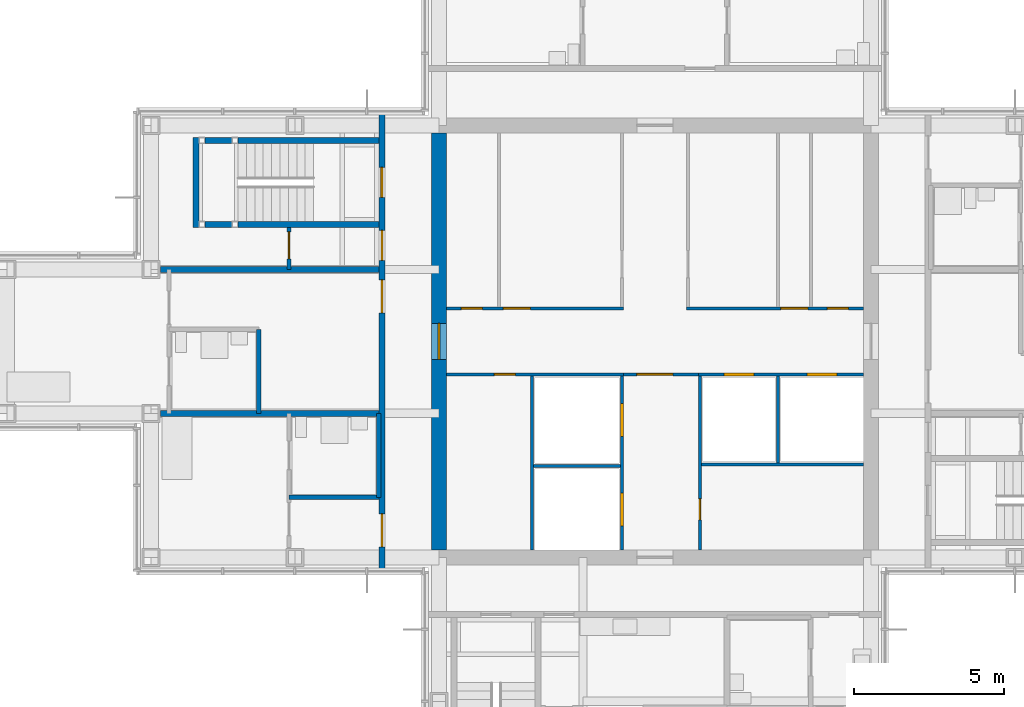
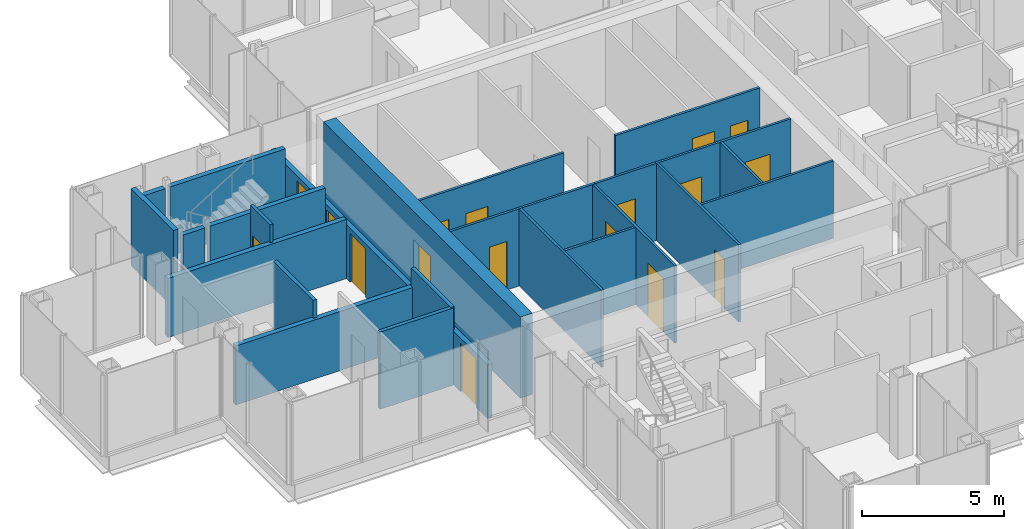
# One storey, part 12 of 17: 24 walls, 17 doors, 17 openings.
"""IFC4 building model written with IfcOpenShell, lengths in metres."""

from ifc_helpers import new_model, si_unit, direction, frame, frame_2d, origin, place, context, subcontext, project, spatial, rectangle, extrude, material, layer, layer_set, type_object, element, fill, save


model = new_model("IFC4")

# Units and contexts
model_context = context("Model", 3, precision=1e-05, world=origin(), true_north=direction((0.0, 1.0)))
body_context = subcontext(model_context, "Body", "Model", "MODEL_VIEW")
ifc_project = project(units=[si_unit("LENGTHUNIT", "METRE"), si_unit("AREAUNIT", "SQUARE_METRE"), si_unit("VOLUMEUNIT", "CUBIC_METRE"), si_unit("PLANEANGLEUNIT", "RADIAN"), si_unit("MASSUNIT", "GRAM", prefix="KILO")], contexts=[model_context])

# Site, building, storey
site_placement = place(None, origin())
site = spatial("IfcSite", under=ifc_project, at=site_placement, CompositionType="ELEMENT")
building_placement = place(site_placement, origin())
building = spatial("IfcBuilding", under=site, at=building_placement, Name="Kvirike Care Tower", CompositionType="ELEMENT")
storey_placement = place(building_placement, frame((0.0, 0.0, 158.5)))
storey = spatial("IfcBuildingStorey", under=building, at=storey_placement, Name="L43", CompositionType="ELEMENT", Elevation=158.5)

# Walls
ifc_material_1 = material(Name="Moisture-resistant board partition", Category="gypsum")
ifc_layer_1 = layer(ifc_material_1, 0.14990234375)
ifc_layer_set_1 = layer_set([ifc_layer_1], Name="BATHROOM WALL 150")
wall_type_1 = type_object("IfcWallType", Name="BATHROOM WALL 150", PredefinedType="PARTITIONING", material=ifc_layer_set_1)
wall_1_placement = place(storey_placement, frame((8.39990234375, 36.39990234375, 0.0), z_axis=(0.0, 0.0, 1.0), x_axis=(0.0, -1.0, 0.0)))
element("IfcWall", 1, at=wall_1_placement, inside=storey, type_object=wall_type_1, Name="Bathroom Wall 150 L43", PredefinedType="PARTITIONING", context=body_context, shape_type="SweptSolid", body=[
    extrude(rectangle(XDim=2.7998046875, YDim=0.14990234375, at=frame_2d((1.39990234375, 0.0))), origin(), (0.0, 0.0, 1.0), 3.330078125),
])
wall_2_placement = place(storey_placement, frame((9.39990234375, 30.800048828125, 0.0), z_axis=(0.0, 0.0, 1.0), x_axis=(1.0, 0.0, 0.0)))
element("IfcWall", 2, at=wall_2_placement, inside=storey, type_object=wall_type_1, Name="Bathroom Wall 150 L43", PredefinedType="PARTITIONING", context=body_context, shape_type="SweptSolid", body=[
    extrude(rectangle(XDim=3.0, YDim=0.14990234375, at=frame_2d((1.5, 0.0))), origin(), (0.0, 0.0, 1.0), 3.330078125),
])
wall_3_placement = place(storey_placement, frame((12.39990234375, 33.60009765625, 0.0), z_axis=(0.0, 0.0, 1.0), x_axis=(0.0, -1.0, 0.0)))
element("IfcWall", 3, at=wall_3_placement, inside=storey, type_object=wall_type_1, Name="Bathroom Wall 150 L43", PredefinedType="PARTITIONING", context=body_context, shape_type="SweptSolid", body=[
    extrude(rectangle(XDim=2.800048828125, YDim=0.14990234375, at=frame_2d((1.39990234375, 0.0))), origin(), (0.0, 0.0, 1.0), 3.330078125),
])

# Wall, opening, door
ifc_material_2 = material(Name="Concrete C45/55", Category="concrete")
ifc_layer_2 = layer(ifc_material_2, 0.5)
ifc_layer_set_2 = layer_set([ifc_layer_2], Name="CORE WALL 500 C45-55")
wall_type_2 = type_object("IfcWallType", Name="CORE WALL 500 C45-55", PredefinedType="SHEAR", material=ifc_layer_set_2)
wall_4_placement = place(storey_placement, frame((14.39990234375, 42.949951171875, -0.169921875), z_axis=(0.0, 0.0, 1.0), x_axis=(0.0, -1.0, 0.0)))
wall_4 = element("IfcWall", 4, at=wall_4_placement, inside=storey, type_object=wall_type_2, Name="Core wall W L43", PredefinedType="SHEAR", context=body_context, shape_type="SweptSolid", body=[
    extrude(rectangle(XDim=13.89990234375, YDim=0.5, at=frame_2d((6.949951171875, 0.0))), origin(), (0.0, 0.0, 1.0), 3.5),
])
opening_1_placement = place(wall_4_placement, frame((6.35009765625, 0.0, 0.169921875)))
opening_1 = element("IfcOpeningElement", 5, at=opening_1_placement, cuts=wall_4, Name="Opening 43-044", PredefinedType="OPENING", context=body_context, shape_type="SweptSolid", body=[
    extrude(rectangle(XDim=1.199951171875, YDim=2.10009765625, at=frame_2d((0.60009765625, 1.050048828125))), frame((0.0, 0.260498046875, 0.0), z_axis=(0.0, -1.0, 0.0), x_axis=(1.0, 0.0, 0.0)), (0.0, 0.0, 1.0), 0.52099609375),
])
ifc_material_3 = material(Name="Timber door set", Category="wood")
door_type_1 = type_object("IfcDoorType", Name="CORE DOOR 1200", OperationType="SINGLE_SWING_LEFT", PredefinedType="DOOR", material=ifc_material_3)
door_1_placement = place(opening_1_placement, origin())
door_1 = element("IfcDoor", 6, at=door_1_placement, inside=storey, type_object=door_type_1, Name="Core door W L43", OperationType="SINGLE_SWING_LEFT", OverallHeight=2.10009765625, OverallWidth=1.199951171875, PredefinedType="DOOR", context=body_context, shape_type="SweptSolid", body=[
    extrude(rectangle(XDim=1.199951171875, YDim=2.10009765625, at=frame_2d((0.60009765625, 1.050048828125))), frame((0.0, 0.02685546875, 0.0), z_axis=(0.0, -1.0, 0.0), x_axis=(1.0, 0.0, 0.0)), (0.0, 0.0, 1.0), 0.053955078125),
])
fill(opening_1, door_1)

# Wall, openings, doors
ifc_material_4 = material(Name="Plasterboard corridor wall", Category="gypsum")
ifc_layer_3 = layer(ifc_material_4, 0.199951171875)
ifc_layer_set_3 = layer_set([ifc_layer_3], Name="CORRIDOR WALL 200")
wall_type_3 = type_object("IfcWallType", Name="CORRIDOR WALL 200", PredefinedType="PARTITIONING", material=ifc_layer_set_3)
wall_5_placement = place(storey_placement, frame((12.5, 43.64990234375, 0.0), z_axis=(0.0, 0.0, 1.0), x_axis=(0.0, -1.0, 0.0)))
wall_5 = element("IfcWall", 7, at=wall_5_placement, inside=storey, type_object=wall_type_3, Name="Corridor Wall 200 L43", PredefinedType="PARTITIONING", context=body_context, shape_type="SweptSolid", body=[
    extrude(rectangle(XDim=15.2998046875, YDim=0.199951171875, at=frame_2d((7.64990234375, 0.0))), origin(), (0.0, 0.0, 1.0), 2.320068359375),
])
opening_2_placement = place(wall_5_placement, frame((1.85009765625, 0.0, 0.0)))
opening_2 = element("IfcOpeningElement", 8, at=opening_2_placement, cuts=wall_5, Name="Opening 43-006", PredefinedType="OPENING", context=body_context, shape_type="SweptSolid", body=[
    extrude(rectangle(XDim=1.0, YDim=2.10009765625, at=frame_2d((0.5, 1.050048828125))), frame((0.0, 0.110595703125, 0.0), z_axis=(0.0, -1.0, 0.0), x_axis=(1.0, 0.0, 0.0)), (0.0, 0.0, 1.0), 0.220947265625),
])
opening_3_placement = place(wall_5_placement, frame((3.949951171875, 0.0, 0.0)))
opening_3 = element("IfcOpeningElement", 9, at=opening_3_placement, cuts=wall_5, Name="Opening 43-007", PredefinedType="OPENING", context=body_context, shape_type="SweptSolid", body=[
    extrude(rectangle(XDim=1.0, YDim=2.10009765625, at=frame_2d((0.5, 1.050048828125))), frame((0.0, 0.110595703125, 0.0), z_axis=(0.0, -1.0, 0.0), x_axis=(1.0, 0.0, 0.0)), (0.0, 0.0, 1.0), 0.220947265625),
])
opening_4_placement = place(wall_5_placement, frame((5.60009765625, 0.0, 0.0)))
opening_4 = element("IfcOpeningElement", 10, at=opening_4_placement, cuts=wall_5, Name="Opening 43-008", PredefinedType="OPENING", context=body_context, shape_type="SweptSolid", body=[
    extrude(rectangle(XDim=1.10009765625, YDim=2.10009765625, at=frame_2d((0.550048828125, 1.050048828125))), frame((0.0, 0.110595703125, 0.0), z_axis=(0.0, -1.0, 0.0), x_axis=(1.0, 0.0, 0.0)), (0.0, 0.0, 1.0), 0.220947265625),
])
opening_5_placement = place(wall_5_placement, frame((13.39990234375, 0.0, 0.0)))
opening_5 = element("IfcOpeningElement", 11, at=opening_5_placement, cuts=wall_5, Name="Opening 43-009", PredefinedType="OPENING", context=body_context, shape_type="SweptSolid", body=[
    extrude(rectangle(XDim=1.10009765625, YDim=2.10009765625, at=frame_2d((0.550048828125, 1.050048828125))), frame((0.0, 0.110595703125, 0.0), z_axis=(0.0, -1.0, 0.0), x_axis=(1.0, 0.0, 0.0)), (0.0, 0.0, 1.0), 0.220947265625),
])
ifc_material_5 = material(Name="Timber door set", Category="wood")
door_type_2 = type_object("IfcDoorType", Name="BEDROOM ENTRANCE DOOR 1100", OperationType="SINGLE_SWING_LEFT", PredefinedType="DOOR", material=ifc_material_5)
door_2_placement = place(opening_4_placement, frame((1.10009765625, 0.0, 0.0), z_axis=(0.0, 0.0, 1.0), x_axis=(-1.0, 0.0, 0.0)))
door_2 = element("IfcDoor", 12, at=door_2_placement, inside=storey, type_object=door_type_2, Name="Memory care bedroom entrance", OperationType="SINGLE_SWING_LEFT", OverallHeight=2.10009765625, OverallWidth=1.10009765625, PredefinedType="DOOR", context=body_context, shape_type="SweptSolid", body=[
    extrude(rectangle(XDim=1.10009765625, YDim=2.10009765625, at=frame_2d((0.550048828125, 1.050048828125))), frame((0.0, 0.02685546875, 0.0), z_axis=(0.0, -1.0, 0.0), x_axis=(1.0, 0.0, 0.0)), (0.0, 0.0, 1.0), 0.053955078125),
])
fill(opening_4, door_2)
door_3_placement = place(opening_5_placement, frame((1.10009765625, 0.0, 0.0), z_axis=(0.0, 0.0, 1.0), x_axis=(-1.0, 0.0, 0.0)))
door_3 = element("IfcDoor", 13, at=door_3_placement, inside=storey, type_object=door_type_2, Name="Memory care bedroom entrance", OperationType="SINGLE_SWING_RIGHT", OverallHeight=2.10009765625, OverallWidth=1.10009765625, PredefinedType="DOOR", context=body_context, shape_type="SweptSolid", body=[
    extrude(rectangle(XDim=1.10009765625, YDim=2.10009765625, at=frame_2d((0.550048828125, 1.050048828125))), frame((0.0, 0.02685546875, 0.0), z_axis=(0.0, -1.0, 0.0), x_axis=(1.0, 0.0, 0.0)), (0.0, 0.0, 1.0), 0.053955078125),
])
fill(opening_5, door_3)
ifc_material_6 = material(Name="Timber door set", Category="wood")
door_type_3 = type_object("IfcDoorType", Name="FLAT ENTRANCE DOOR 1000", OperationType="SINGLE_SWING_LEFT", PredefinedType="DOOR", material=ifc_material_6)
door_4_placement = place(opening_3_placement, frame((1.0, 0.0, 0.0), z_axis=(0.0, 0.0, 1.0), x_axis=(-1.0, 0.0, 0.0)))
door_4 = element("IfcDoor", 14, at=door_4_placement, inside=storey, type_object=door_type_3, Name="Activity room entrance", OperationType="SINGLE_SWING_LEFT", OverallHeight=2.10009765625, OverallWidth=1.0, PredefinedType="DOOR", context=body_context, shape_type="SweptSolid", body=[
    extrude(rectangle(XDim=1.0, YDim=2.10009765625, at=frame_2d((0.5, 1.050048828125))), frame((0.0, 0.02685546875, 0.0), z_axis=(0.0, -1.0, 0.0), x_axis=(1.0, 0.0, 0.0)), (0.0, 0.0, 1.0), 0.053955078125),
])
fill(opening_3, door_4)
ifc_material_7 = material(Name="Timber door set", Category="wood")
door_type_4 = type_object("IfcDoorType", Name="STAIR DOOR 1000", OperationType="SINGLE_SWING_LEFT", PredefinedType="DOOR", material=ifc_material_7)
door_5_placement = place(opening_2_placement, frame((1.0, 0.0, 0.0), z_axis=(0.0, 0.0, 1.0), x_axis=(-1.0, 0.0, 0.0)))
door_5 = element("IfcDoor", 15, at=door_5_placement, inside=storey, type_object=door_type_4, Name="Stair 1 door", OperationType="SINGLE_SWING_LEFT", OverallHeight=2.10009765625, OverallWidth=1.0, PredefinedType="DOOR", context=body_context, shape_type="SweptSolid", body=[
    extrude(rectangle(XDim=1.0, YDim=2.10009765625, at=frame_2d((0.5, 1.050048828125))), frame((0.0, 0.031982421875, 0.0), z_axis=(0.0, -1.0, 0.0), x_axis=(1.0, 0.0, 0.0)), (0.0, 0.0, 1.0), 0.06396484375),
])
fill(opening_2, door_5)

# Wall, opening, door
ifc_material_8 = material(Name="Plasterboard partition", Category="gypsum")
ifc_layer_4 = layer(ifc_material_8, 0.1201171875)
ifc_layer_set_4 = layer_set([ifc_layer_4], Name="PARTITION 120")
wall_type_4 = type_object("IfcWallType", Name="PARTITION 120", PredefinedType="PARTITIONING", material=ifc_layer_set_4)
wall_6_placement = place(storey_placement, frame((9.39990234375, 39.800048828125, 0.0), z_axis=(0.0, 0.0, 1.0), x_axis=(0.0, -1.0, 0.0)))
wall_6 = element("IfcWall", 16, at=wall_6_placement, inside=storey, type_object=wall_type_4, Name="Partition 120 L43", PredefinedType="PARTITIONING", context=body_context, shape_type="SweptSolid", body=[
    extrude(rectangle(XDim=1.400146484375, YDim=0.1201171875, at=frame_2d((0.7001953125, 0.0))), origin(), (0.0, 0.0, 1.0), 3.330078125),
])
opening_6_placement = place(wall_6_placement, frame((0.14990234375, 0.0, 0.0)))
opening_6 = element("IfcOpeningElement", 17, at=opening_6_placement, cuts=wall_6, Name="Opening 43-001", PredefinedType="OPENING", context=body_context, shape_type="SweptSolid", body=[
    extrude(rectangle(XDim=0.89990234375, YDim=2.10009765625, at=frame_2d((0.449951171875, 1.050048828125))), frame((0.0, 0.070556640625, 0.0), z_axis=(0.0, -1.0, 0.0), x_axis=(1.0, 0.0, 0.0)), (0.0, 0.0, 1.0), 0.14111328125),
])
ifc_material_9 = material(Name="Timber door set", Category="wood")
door_type_5 = type_object("IfcDoorType", Name="INTERNAL DOOR 900", OperationType="SINGLE_SWING_LEFT", PredefinedType="DOOR", material=ifc_material_9)
door_6_placement = place(opening_6_placement, origin())
door_6 = element("IfcDoor", 18, at=door_6_placement, inside=storey, type_object=door_type_5, Name="Activity room door", OperationType="SINGLE_SWING_RIGHT", OverallHeight=2.10009765625, OverallWidth=0.89990234375, PredefinedType="DOOR", context=body_context, shape_type="SweptSolid", body=[
    extrude(rectangle(XDim=0.89990234375, YDim=2.10009765625, at=frame_2d((0.449951171875, 1.050048828125))), frame((0.0, 0.02197265625, 0.0), z_axis=(0.0, -1.0, 0.0), x_axis=(1.0, 0.0, 0.0)), (0.0, 0.0, 1.0), 0.0439453125),
])
fill(opening_6, door_6)

# Walls
ifc_material_10 = material(Name="Plasterboard party wall", Category="gypsum")
ifc_layer_5 = layer(ifc_material_10, 0.199951171875)
ifc_layer_set_5 = layer_set([ifc_layer_5], Name="PARTY WALL 200")
wall_type_5 = type_object("IfcWallType", Name="PARTY WALL 200", PredefinedType="PARTITIONING", material=ifc_layer_set_5)
for number, where, z_axis, x_axis, name in (
    (19, (5.1201171875, 38.39990234375, 0.0), (0.0, 0.0, 1.0), (1.0, 0.0, 0.0), "Party Wall 200 L43"),
    (20, (5.1201171875, 33.60009765625, 0.0), (0.0, 0.0, 1.0), (1.0, 0.0, 0.0), "Party Wall 200 L43"),
):
    element("IfcWall", number, at=place(storey_placement, frame(where, z_axis=z_axis, x_axis=x_axis)), inside=storey, type_object=wall_type_5, Name=name, PredefinedType="PARTITIONING", context=body_context, shape_type="SweptSolid", body=[
        extrude(rectangle(XDim=7.27978515625, YDim=0.199951171875, at=frame_2d((3.639892578125, 0.0))), origin(), (0.0, 0.0, 1.0), 2.550048828125),
    ])

# Wall, openings, doors
ifc_material_11 = material(Name="Gypsum shaft wall system", Category="gypsum")
ifc_layer_6 = layer(ifc_material_11, 0.10009765625)
ifc_layer_set_6 = layer_set([ifc_layer_6], Name="SHAFT WALL 100")
wall_type_6 = type_object("IfcWallType", Name="SHAFT WALL 100", PredefinedType="SOLIDWALL", material=ifc_layer_set_6)
wall_7_placement = place(storey_placement, frame((20.5, 29.050048828125, 0.0), z_axis=(0.0, 0.0, 1.0), x_axis=(0.0, 1.0, 0.0)))
wall_7 = element("IfcWall", 21, at=wall_7_placement, inside=storey, type_object=wall_type_6, Name="Shaft Wall 100 L43", PredefinedType="SOLIDWALL", context=body_context, shape_type="SweptSolid", body=[
    extrude(rectangle(XDim=5.800048828125, YDim=0.10009765625, at=frame_2d((2.89990234375, 0.0))), origin(), (0.0, 0.0, 1.0), 3.330078125),
])
opening_7_placement = place(wall_7_placement, frame((0.800048828125, 0.0, 0.0)))
opening_7 = element("IfcOpeningElement", 22, at=opening_7_placement, cuts=wall_7, Name="Opening 43-030", PredefinedType="OPENING", context=body_context, shape_type="SweptSolid", body=[
    extrude(rectangle(XDim=1.10009765625, YDim=2.300048828125, at=frame_2d((0.550048828125, 1.14990234375))), frame((0.0, 0.060546875, 0.0), z_axis=(0.0, -1.0, 0.0), x_axis=(1.0, 0.0, 0.0)), (0.0, 0.0, 1.0), 0.12109375),
])
opening_8_placement = place(wall_7_placement, frame((3.77490234375, 0.0, 0.0)))
opening_8 = element("IfcOpeningElement", 23, at=opening_8_placement, cuts=wall_7, Name="Opening 43-031", PredefinedType="OPENING", context=body_context, shape_type="SweptSolid", body=[
    extrude(rectangle(XDim=1.10009765625, YDim=2.300048828125, at=frame_2d((0.550048828125, 1.14990234375))), frame((0.0, 0.060546875, 0.0), z_axis=(0.0, -1.0, 0.0), x_axis=(1.0, 0.0, 0.0)), (0.0, 0.0, 1.0), 0.12109375),
])
ifc_material_12 = material(Name="Aluminium door frame", Category="aluminium")
door_type_6 = type_object("IfcDoorType", Name="FIRE-FIGHTING LIFT LANDING DOOR 1100", OperationType="SLIDING_TO_LEFT", PredefinedType="DOOR", material=ifc_material_12)
door_7_placement = place(opening_7_placement, origin())
door_7 = element("IfcDoor", 24, at=door_7_placement, inside=storey, type_object=door_type_6, Name="Lift FF1 landing door", OperationType="SLIDING_TO_LEFT", OverallHeight=2.300048828125, OverallWidth=1.10009765625, PredefinedType="DOOR", context=body_context, shape_type="SweptSolid", body=[
    extrude(rectangle(XDim=1.10009765625, YDim=2.300048828125, at=frame_2d((0.550048828125, 1.14990234375))), frame((0.0, 0.0498046875, 0.0), z_axis=(0.0, -1.0, 0.0), x_axis=(1.0, 0.0, 0.0)), (0.0, 0.0, 1.0), 0.099609375),
])
fill(opening_7, door_7)
door_8_placement = place(opening_8_placement, origin())
door_8 = element("IfcDoor", 25, at=door_8_placement, inside=storey, type_object=door_type_6, Name="Lift FF2 landing door", OperationType="SLIDING_TO_LEFT", OverallHeight=2.300048828125, OverallWidth=1.10009765625, PredefinedType="DOOR", context=body_context, shape_type="SweptSolid", body=[
    extrude(rectangle(XDim=1.10009765625, YDim=2.300048828125, at=frame_2d((0.550048828125, 1.14990234375))), frame((0.0, 0.0498046875, 0.0), z_axis=(0.0, -1.0, 0.0), x_axis=(1.0, 0.0, 0.0)), (0.0, 0.0, 1.0), 0.099609375),
])
fill(opening_8, door_8)

# Wall, opening, door
wall_8_placement = place(storey_placement, frame((23.10009765625, 29.050048828125, 0.0), z_axis=(0.0, 0.0, 1.0), x_axis=(0.0, 1.0, 0.0)))
wall_8 = element("IfcWall", 26, at=wall_8_placement, inside=storey, type_object=wall_type_6, Name="Shaft Wall 100 L43", PredefinedType="SOLIDWALL", context=body_context, shape_type="SweptSolid", body=[
    extrude(rectangle(XDim=5.800048828125, YDim=0.10009765625, at=frame_2d((2.89990234375, 0.0))), origin(), (0.0, 0.0, 1.0), 3.330078125),
])
opening_9_placement = place(wall_8_placement, frame((1.0, 0.0, 0.0)))
opening_9 = element("IfcOpeningElement", 27, at=opening_9_placement, cuts=wall_8, Name="Opening 43-034", PredefinedType="OPENING", context=body_context, shape_type="SweptSolid", body=[
    extrude(rectangle(XDim=0.699951171875, YDim=2.10009765625, at=frame_2d((0.35009765625, 1.050048828125))), frame((0.0, 0.060546875, 0.0), z_axis=(0.0, -1.0, 0.0), x_axis=(1.0, 0.0, 0.0)), (0.0, 0.0, 1.0), 0.12109375),
])
ifc_material_13 = material(Name="Timber door set", Category="wood")
door_type_7 = type_object("IfcDoorType", Name="RISER DOOR 700", OperationType="SINGLE_SWING_LEFT", PredefinedType="DOOR", material=ifc_material_13)
door_9_placement = place(opening_9_placement, origin())
door_9 = element("IfcDoor", 28, at=door_9_placement, inside=storey, type_object=door_type_7, Name="Riser door", OperationType="SINGLE_SWING_RIGHT", OverallHeight=2.10009765625, OverallWidth=0.699951171875, PredefinedType="DOOR", context=body_context, shape_type="SweptSolid", body=[
    extrude(rectangle(XDim=0.699951171875, YDim=2.10009765625, at=frame_2d((0.35009765625, 1.050048828125))), frame((0.0, 0.02685546875, 0.0), z_axis=(0.0, -1.0, 0.0), x_axis=(1.0, 0.0, 0.0)), (0.0, 0.0, 1.0), 0.053955078125),
])
fill(opening_9, door_9)

wall_9_placement = place(storey_placement, frame((14.64990234375, 34.89990234375, 0.0), z_axis=(0.0, 0.0, 1.0), x_axis=(1.0, 0.0, 0.0)))
wall_9 = element("IfcWall", 29, at=wall_9_placement, inside=storey, type_object=wall_type_6, Name="Shaft Wall 100 L43", PredefinedType="SOLIDWALL", context=body_context, shape_type="SweptSolid", body=[
    extrude(rectangle(XDim=5.900146484375, YDim=0.10009765625, at=frame_2d((2.9501953125, 0.0))), origin(), (0.0, 0.0, 1.0), 3.330078125),
])
opening_10_placement = place(wall_9_placement, frame((1.60009765625, 0.0, 0.0)))
opening_10 = element("IfcOpeningElement", 30, at=opening_10_placement, cuts=wall_9, Name="Opening 43-035", PredefinedType="OPENING", context=body_context, shape_type="SweptSolid", body=[
    extrude(rectangle(XDim=0.699951171875, YDim=2.10009765625, at=frame_2d((0.35009765625, 1.050048828125))), frame((0.0, 0.060546875, 0.0), z_axis=(0.0, -1.0, 0.0), x_axis=(1.0, 0.0, 0.0)), (0.0, 0.0, 1.0), 0.12109375),
])
door_10_placement = place(opening_10_placement, frame((0.699951171875, 0.0, 0.0), z_axis=(0.0, 0.0, 1.0), x_axis=(-1.0, 0.0, 0.0)))
door_10 = element("IfcDoor", 31, at=door_10_placement, inside=storey, type_object=door_type_7, Name="Riser door", OperationType="SINGLE_SWING_RIGHT", OverallHeight=2.10009765625, OverallWidth=0.699951171875, PredefinedType="DOOR", context=body_context, shape_type="SweptSolid", body=[
    extrude(rectangle(XDim=0.699951171875, YDim=2.10009765625, at=frame_2d((0.35009765625, 1.050048828125))), frame((0.0, 0.02685546875, 0.0), z_axis=(0.0, -1.0, 0.0), x_axis=(1.0, 0.0, 0.0)), (0.0, 0.0, 1.0), 0.053955078125),
])
fill(opening_10, door_10)

# Wall, openings, doors
wall_10_placement = place(storey_placement, frame((23.050048828125, 34.89990234375, 0.0), z_axis=(0.0, 0.0, 1.0), x_axis=(1.0, 0.0, 0.0)))
wall_10 = element("IfcWall", 32, at=wall_10_placement, inside=storey, type_object=wall_type_6, Name="Shaft Wall 100 L43", PredefinedType="SOLIDWALL", context=body_context, shape_type="SweptSolid", body=[
    extrude(rectangle(XDim=5.5, YDim=0.10009765625, at=frame_2d((2.75, 0.0))), origin(), (0.0, 0.0, 1.0), 3.330078125),
])
opening_11_placement = place(wall_10_placement, frame((0.85009765625, 0.0, 0.0)))
opening_11 = element("IfcOpeningElement", 33, at=opening_11_placement, cuts=wall_10, Name="Opening 43-036", PredefinedType="OPENING", context=body_context, shape_type="SweptSolid", body=[
    extrude(rectangle(XDim=1.0, YDim=2.10009765625, at=frame_2d((0.5, 1.050048828125))), frame((0.0, 0.060546875, 0.0), z_axis=(0.0, -1.0, 0.0), x_axis=(1.0, 0.0, 0.0)), (0.0, 0.0, 1.0), 0.12109375),
])
opening_12_placement = place(wall_10_placement, frame((3.625, 0.0, 0.0)))
opening_12 = element("IfcOpeningElement", 34, at=opening_12_placement, cuts=wall_10, Name="Opening 43-037", PredefinedType="OPENING", context=body_context, shape_type="SweptSolid", body=[
    extrude(rectangle(XDim=1.0, YDim=2.10009765625, at=frame_2d((0.5, 1.050048828125))), frame((0.0, 0.060546875, 0.0), z_axis=(0.0, -1.0, 0.0), x_axis=(1.0, 0.0, 0.0)), (0.0, 0.0, 1.0), 0.12109375),
])
ifc_material_14 = material(Name="Aluminium door frame", Category="aluminium")
door_type_8 = type_object("IfcDoorType", Name="LIFT LANDING DOOR 1000", OperationType="SLIDING_TO_LEFT", PredefinedType="DOOR", material=ifc_material_14)
door_11_placement = place(opening_11_placement, origin())
door_11 = element("IfcDoor", 35, at=door_11_placement, inside=storey, type_object=door_type_8, Name="Lift P5 landing door", OperationType="SLIDING_TO_LEFT", OverallHeight=2.10009765625, OverallWidth=1.0, PredefinedType="DOOR", context=body_context, shape_type="SweptSolid", body=[
    extrude(rectangle(XDim=1.0, YDim=2.10009765625, at=frame_2d((0.5, 1.050048828125))), frame((0.0, 0.0498046875, 0.0), z_axis=(0.0, -1.0, 0.0), x_axis=(1.0, 0.0, 0.0)), (0.0, 0.0, 1.0), 0.099609375),
])
fill(opening_11, door_11)
door_12_placement = place(opening_12_placement, origin())
door_12 = element("IfcDoor", 36, at=door_12_placement, inside=storey, type_object=door_type_8, Name="Lift P6 landing door", OperationType="SLIDING_TO_LEFT", OverallHeight=2.10009765625, OverallWidth=1.0, PredefinedType="DOOR", context=body_context, shape_type="SweptSolid", body=[
    extrude(rectangle(XDim=1.0, YDim=2.10009765625, at=frame_2d((0.5, 1.050048828125))), frame((0.0, 0.0498046875, 0.0), z_axis=(0.0, -1.0, 0.0), x_axis=(1.0, 0.0, 0.0)), (0.0, 0.0, 1.0), 0.099609375),
])
fill(opening_12, door_12)

wall_11_placement = place(storey_placement, frame((14.64990234375, 37.10009765625, 0.0), z_axis=(0.0, 0.0, 1.0), x_axis=(1.0, 0.0, 0.0)))
wall_11 = element("IfcWall", 37, at=wall_11_placement, inside=storey, type_object=wall_type_6, Name="Shaft Wall 100 L43", PredefinedType="SOLIDWALL", context=body_context, shape_type="SweptSolid", body=[
    extrude(rectangle(XDim=5.900146484375, YDim=0.10009765625, at=frame_2d((2.9501953125, 0.0))), origin(), (0.0, 0.0, 1.0), 3.330078125),
])
opening_13_placement = place(wall_11_placement, frame((0.5, 0.0, 0.0)))
opening_13 = element("IfcOpeningElement", 38, at=opening_13_placement, cuts=wall_11, Name="Opening 43-038", PredefinedType="OPENING", context=body_context, shape_type="SweptSolid", body=[
    extrude(rectangle(XDim=0.699951171875, YDim=2.10009765625, at=frame_2d((0.35009765625, 1.050048828125))), frame((0.0, 0.060546875, 0.0), z_axis=(0.0, -1.0, 0.0), x_axis=(1.0, 0.0, 0.0)), (0.0, 0.0, 1.0), 0.12109375),
])
opening_14_placement = place(wall_11_placement, frame((1.89990234375, 0.0, 0.0)))
opening_14 = element("IfcOpeningElement", 39, at=opening_14_placement, cuts=wall_11, Name="Opening 43-039", PredefinedType="OPENING", context=body_context, shape_type="SweptSolid", body=[
    extrude(rectangle(XDim=0.89990234375, YDim=2.10009765625, at=frame_2d((0.449951171875, 1.050048828125))), frame((0.0, 0.060546875, 0.0), z_axis=(0.0, -1.0, 0.0), x_axis=(1.0, 0.0, 0.0)), (0.0, 0.0, 1.0), 0.12109375),
])
door_13_placement = place(opening_13_placement, origin())
door_13 = element("IfcDoor", 40, at=door_13_placement, inside=storey, type_object=door_type_7, Name="Riser door", OperationType="SINGLE_SWING_RIGHT", OverallHeight=2.10009765625, OverallWidth=0.699951171875, PredefinedType="DOOR", context=body_context, shape_type="SweptSolid", body=[
    extrude(rectangle(XDim=0.699951171875, YDim=2.10009765625, at=frame_2d((0.35009765625, 1.050048828125))), frame((0.0, 0.02685546875, 0.0), z_axis=(0.0, -1.0, 0.0), x_axis=(1.0, 0.0, 0.0)), (0.0, 0.0, 1.0), 0.053955078125),
])
fill(opening_13, door_13)
ifc_material_15 = material(Name="Timber door set", Category="wood")
door_type_9 = type_object("IfcDoorType", Name="STORE DOOR 900", OperationType="SINGLE_SWING_LEFT", PredefinedType="DOOR", material=ifc_material_15)
door_14_placement = place(opening_14_placement, origin())
door_14 = element("IfcDoor", 41, at=door_14_placement, inside=storey, type_object=door_type_9, Name="Housekeeping office door", OperationType="SINGLE_SWING_RIGHT", OverallHeight=2.10009765625, OverallWidth=0.89990234375, PredefinedType="DOOR", context=body_context, shape_type="SweptSolid", body=[
    extrude(rectangle(XDim=0.89990234375, YDim=2.10009765625, at=frame_2d((0.449951171875, 1.050048828125))), frame((0.0, 0.02685546875, 0.0), z_axis=(0.0, -1.0, 0.0), x_axis=(1.0, 0.0, 0.0)), (0.0, 0.0, 1.0), 0.053955078125),
])
fill(opening_14, door_14)

wall_12_placement = place(storey_placement, frame((22.64990234375, 37.10009765625, 0.0), z_axis=(0.0, 0.0, 1.0), x_axis=(1.0, 0.0, 0.0)))
wall_12 = element("IfcWall", 42, at=wall_12_placement, inside=storey, type_object=wall_type_6, Name="Shaft Wall 100 L43", PredefinedType="SOLIDWALL", context=body_context, shape_type="SweptSolid", body=[
    extrude(rectangle(XDim=5.900146484375, YDim=0.10009765625, at=frame_2d((2.9501953125, 0.0))), origin(), (0.0, 0.0, 1.0), 3.330078125),
])
opening_15_placement = place(wall_12_placement, frame((3.14990234375, 0.0, 0.0)))
opening_15 = element("IfcOpeningElement", 43, at=opening_15_placement, cuts=wall_12, Name="Opening 43-040", PredefinedType="OPENING", context=body_context, shape_type="SweptSolid", body=[
    extrude(rectangle(XDim=0.89990234375, YDim=2.10009765625, at=frame_2d((0.449951171875, 1.050048828125))), frame((0.0, 0.060546875, 0.0), z_axis=(0.0, -1.0, 0.0), x_axis=(1.0, 0.0, 0.0)), (0.0, 0.0, 1.0), 0.12109375),
])
opening_16_placement = place(wall_12_placement, frame((4.699951171875, 0.0, 0.0)))
opening_16 = element("IfcOpeningElement", 44, at=opening_16_placement, cuts=wall_12, Name="Opening 43-041", PredefinedType="OPENING", context=body_context, shape_type="SweptSolid", body=[
    extrude(rectangle(XDim=0.699951171875, YDim=2.10009765625, at=frame_2d((0.35009765625, 1.050048828125))), frame((0.0, 0.060546875, 0.0), z_axis=(0.0, -1.0, 0.0), x_axis=(1.0, 0.0, 0.0)), (0.0, 0.0, 1.0), 0.12109375),
])
door_15_placement = place(opening_16_placement, origin())
door_15 = element("IfcDoor", 45, at=door_15_placement, inside=storey, type_object=door_type_7, Name="Riser door", OperationType="SINGLE_SWING_LEFT", OverallHeight=2.10009765625, OverallWidth=0.699951171875, PredefinedType="DOOR", context=body_context, shape_type="SweptSolid", body=[
    extrude(rectangle(XDim=0.699951171875, YDim=2.10009765625, at=frame_2d((0.35009765625, 1.050048828125))), frame((0.0, 0.02685546875, 0.0), z_axis=(0.0, -1.0, 0.0), x_axis=(1.0, 0.0, 0.0)), (0.0, 0.0, 1.0), 0.053955078125),
])
fill(opening_16, door_15)
door_16_placement = place(opening_15_placement, origin())
door_16 = element("IfcDoor", 46, at=door_16_placement, inside=storey, type_object=door_type_9, Name="Records store door", OperationType="SINGLE_SWING_LEFT", OverallHeight=2.10009765625, OverallWidth=0.89990234375, PredefinedType="DOOR", context=body_context, shape_type="SweptSolid", body=[
    extrude(rectangle(XDim=0.89990234375, YDim=2.10009765625, at=frame_2d((0.449951171875, 1.050048828125))), frame((0.0, 0.02685546875, 0.0), z_axis=(0.0, -1.0, 0.0), x_axis=(1.0, 0.0, 0.0)), (0.0, 0.0, 1.0), 0.053955078125),
])
fill(opening_15, door_16)

# Wall, opening, door
wall_13_placement = place(storey_placement, frame((20.550048828125, 34.89990234375, 0.0), z_axis=(0.0, 0.0, 1.0), x_axis=(1.0, 0.0, 0.0)))
wall_13 = element("IfcWall", 47, at=wall_13_placement, inside=storey, type_object=wall_type_6, Name="Shaft Wall 100 L43", PredefinedType="SOLIDWALL", context=body_context, shape_type="SweptSolid", body=[
    extrude(rectangle(XDim=2.5, YDim=0.10009765625, at=frame_2d((1.25, 0.0))), origin(), (0.0, 0.0, 1.0), 3.330078125),
])
opening_17_placement = place(wall_13_placement, frame((0.449951171875, 0.0, 0.0)))
opening_17 = element("IfcOpeningElement", 48, at=opening_17_placement, cuts=wall_13, Name="Opening 43-042", PredefinedType="OPENING", context=body_context, shape_type="SweptSolid", body=[
    extrude(rectangle(XDim=1.199951171875, YDim=2.10009765625, at=frame_2d((0.60009765625, 1.050048828125))), frame((0.0, 0.060546875, 0.0), z_axis=(0.0, -1.0, 0.0), x_axis=(1.0, 0.0, 0.0)), (0.0, 0.0, 1.0), 0.12109375),
])
door_17_placement = place(opening_17_placement, frame((1.199951171875, 0.0, 0.0), z_axis=(0.0, 0.0, 1.0), x_axis=(-1.0, 0.0, 0.0)))
door_17 = element("IfcDoor", 49, at=door_17_placement, inside=storey, type_object=door_type_1, Name="Fire-fighting lobby door", OperationType="SINGLE_SWING_LEFT", OverallHeight=2.10009765625, OverallWidth=1.199951171875, PredefinedType="DOOR", context=body_context, shape_type="SweptSolid", body=[
    extrude(rectangle(XDim=1.199951171875, YDim=2.10009765625, at=frame_2d((0.60009765625, 1.050048828125))), frame((0.0, 0.02685546875, 0.0), z_axis=(0.0, -1.0, 0.0), x_axis=(1.0, 0.0, 0.0)), (0.0, 0.0, 1.0), 0.053955078125),
])
fill(opening_17, door_17)

# Walls
wall_14_placement = place(storey_placement, frame((17.5, 29.050048828125, 0.0), z_axis=(0.0, 0.0, 1.0), x_axis=(0.0, 1.0, 0.0)))
element("IfcWall", 50, at=wall_14_placement, inside=storey, type_object=wall_type_6, Name="Shaft Wall 100 L43", PredefinedType="SOLIDWALL", context=body_context, shape_type="SweptSolid", body=[
    extrude(rectangle(XDim=5.800048828125, YDim=0.10009765625, at=frame_2d((2.89990234375, 0.0))), origin(), (0.0, 0.0, 1.0), 3.330078125),
])
wall_15_placement = place(storey_placement, frame((17.550048828125, 31.85009765625, 0.0), z_axis=(0.0, 0.0, 1.0), x_axis=(1.0, 0.0, 0.0)))
element("IfcWall", 51, at=wall_15_placement, inside=storey, type_object=wall_type_6, Name="Shaft Wall 100 L43", PredefinedType="SOLIDWALL", context=body_context, shape_type="SweptSolid", body=[
    extrude(rectangle(XDim=2.89990234375, YDim=0.10009765625, at=frame_2d((1.449951171875, 0.0))), origin(), (0.0, 0.0, 1.0), 3.330078125),
])
wall_16_placement = place(storey_placement, frame((25.699951171875, 31.949951171875, 0.0), z_axis=(0.0, 0.0, 1.0), x_axis=(0.0, 1.0, 0.0)))
element("IfcWall", 52, at=wall_16_placement, inside=storey, type_object=wall_type_6, Name="Shaft Wall 100 L43", PredefinedType="SOLIDWALL", context=body_context, shape_type="SweptSolid", body=[
    extrude(rectangle(XDim=2.900146484375, YDim=0.10009765625, at=frame_2d((1.4501953125, 0.0))), origin(), (0.0, 0.0, 1.0), 3.330078125),
])
wall_17_placement = place(storey_placement, frame((23.14990234375, 31.89990234375, 0.0), z_axis=(0.0, 0.0, 1.0), x_axis=(1.0, 0.0, 0.0)))
element("IfcWall", 53, at=wall_17_placement, inside=storey, type_object=wall_type_6, Name="Shaft Wall 100 L43", PredefinedType="SOLIDWALL", context=body_context, shape_type="SweptSolid", body=[
    extrude(rectangle(XDim=5.400146484375, YDim=0.10009765625, at=frame_2d((2.7001953125, 0.0))), origin(), (0.0, 0.0, 1.0), 3.330078125),
])
ifc_material_16 = material(Name="Concrete C40/50", Category="concrete")
ifc_layer_7 = layer(ifc_material_16, 0.199951171875)
ifc_layer_set_7 = layer_set([ifc_layer_7], Name="STAIR WALL 200")
wall_type_7 = type_object("IfcWallType", Name="STAIR WALL 200", PredefinedType="SOLIDWALL", material=ifc_layer_set_7)
wall_18_placement = place(storey_placement, frame((6.60009765625, 42.699951171875, 0.0), z_axis=(0.0, 0.0, 1.0), x_axis=(1.0, 0.0, 0.0)))
element("IfcWall", 54, at=wall_18_placement, inside=storey, type_object=wall_type_7, Name="Stair Wall 200 L43", PredefinedType="SOLIDWALL", context=body_context, shape_type="SweptSolid", body=[
    extrude(rectangle(XDim=0.89990234375, YDim=0.199951171875, at=frame_2d((0.449951171875, 0.0))), origin(), (0.0, 0.0, 1.0), 2.989990234375),
])
wall_19_placement = place(storey_placement, frame((7.699951171875, 42.699951171875, 0.0), z_axis=(0.0, 0.0, 1.0), x_axis=(1.0, 0.0, 0.0)))
element("IfcWall", 55, at=wall_19_placement, inside=storey, type_object=wall_type_7, Name="Stair Wall 200 L43", PredefinedType="SOLIDWALL", context=body_context, shape_type="SweptSolid", body=[
    extrude(rectangle(XDim=4.699951171875, YDim=0.199951171875, at=frame_2d((2.35009765625, 0.0))), origin(), (0.0, 0.0, 1.0), 2.989990234375),
])
wall_20_placement = place(storey_placement, frame((6.60009765625, 39.89990234375, 0.0), z_axis=(0.0, 0.0, 1.0), x_axis=(1.0, 0.0, 0.0)))
element("IfcWall", 56, at=wall_20_placement, inside=storey, type_object=wall_type_7, Name="Stair Wall 200 L43", PredefinedType="SOLIDWALL", context=body_context, shape_type="SweptSolid", body=[
    extrude(rectangle(XDim=0.89990234375, YDim=0.199951171875, at=frame_2d((0.449951171875, 0.0))), origin(), (0.0, 0.0, 1.0), 2.989990234375),
])
wall_21_placement = place(storey_placement, frame((7.699951171875, 39.89990234375, 0.0), z_axis=(0.0, 0.0, 1.0), x_axis=(1.0, 0.0, 0.0)))
element("IfcWall", 57, at=wall_21_placement, inside=storey, type_object=wall_type_7, Name="Stair Wall 200 L43", PredefinedType="SOLIDWALL", context=body_context, shape_type="SweptSolid", body=[
    extrude(rectangle(XDim=4.699951171875, YDim=0.199951171875, at=frame_2d((2.35009765625, 0.0))), origin(), (0.0, 0.0, 1.0), 2.989990234375),
])
wall_22_placement = place(storey_placement, frame((6.300048828125, 42.800048828125, 0.0), z_axis=(0.0, 0.0, 1.0), x_axis=(0.0, -1.0, 0.0)))
element("IfcWall", 58, at=wall_22_placement, inside=storey, type_object=wall_type_7, Name="Stair Wall 200 L43", PredefinedType="SOLIDWALL", context=body_context, shape_type="SweptSolid", body=[
    extrude(rectangle(XDim=3.0, YDim=0.199951171875, at=frame_2d((1.5, 0.0))), origin(), (0.0, 0.0, 1.0), 3.330078125),
])

save(model, "model.ifc")
